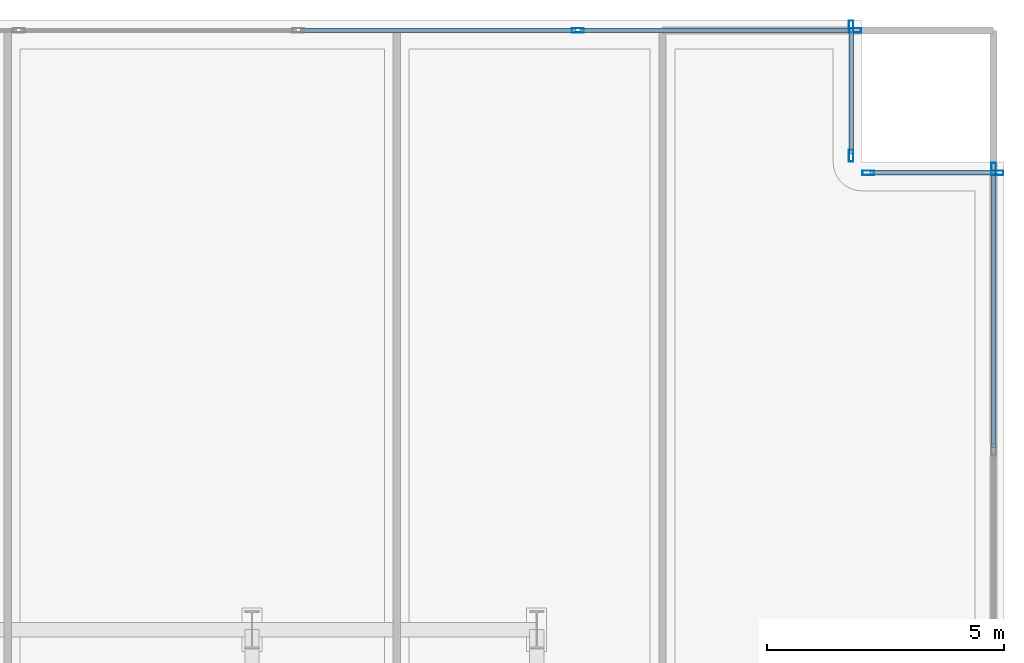
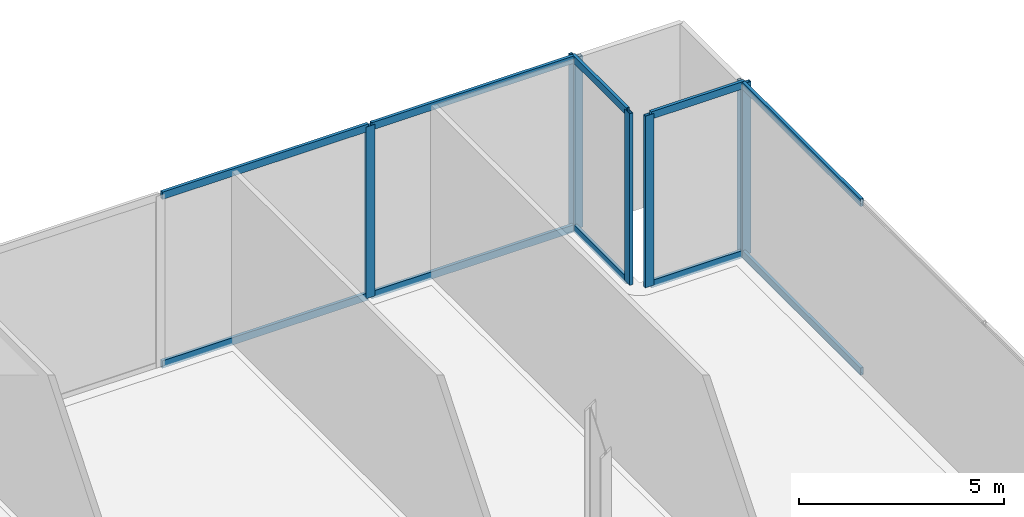
# One storey, part 19 of 28: 17 members, 4 elements without a shape of their own.
"""IFC4 building model written with IfcOpenShell, lengths in metres."""

from ifc_helpers import new_model, si_unit, direction, frame, origin, origin_2d, place, context, subcontext, project, spatial, hollow_rectangle, extrude, material, layer, layer_set, material_profile, profile_set, type_object, element, aggregate, save


model = new_model("IFC4")

# Units and contexts
model_context = context("Model", 3, precision=1e-05, world=origin(), true_north=direction((0.0, 1.0)))
body_context = subcontext(model_context, "Body", "Model", "MODEL_VIEW")
ifc_project = project(units=[si_unit("LENGTHUNIT", "METRE"), si_unit("AREAUNIT", "SQUARE_METRE"), si_unit("VOLUMEUNIT", "CUBIC_METRE"), si_unit("PLANEANGLEUNIT", "RADIAN"), si_unit("MASSUNIT", "GRAM", prefix="KILO"), si_unit("THERMODYNAMICTEMPERATUREUNIT", "KELVIN"), si_unit("POWERUNIT", "WATT")], contexts=[model_context])

# Site, building, storey
site_placement = place(None, origin())
site = spatial("IfcSite", under=ifc_project, at=site_placement, CompositionType="ELEMENT")
building_placement = place(site_placement, origin())
building = spatial("IfcBuilding", under=site, at=building_placement, Name="Svarakhadi Broadcast Tower", CompositionType="ELEMENT")
storey_placement = place(building_placement, frame((0.0, 0.0, 11.10009765625)))
storey = spatial("IfcBuildingStorey", under=building, at=storey_placement, Name="L02", CompositionType="ELEMENT", Elevation=11.10009765625)

# Curtain wall, members
ifc_material = material(Name="Anodised Bronze Aluminium AA 6063-T6", Category="aluminium")
ifc_layer = layer(ifc_material, 0.25)
ifc_layer_set = layer_set([ifc_layer], Name="Anodised Bronze Aluminium AA 6063-T6")
curtain_wall_type = type_object("IfcCurtainWallType", Name="CW_Sys_01", PredefinedType="NOTDEFINED", material=ifc_layer_set)
curtain_wall_1_placement = place(storey_placement, origin())
curtain_wall_1 = element("IfcCurtainWall", 1, at=curtain_wall_1_placement, inside=storey, type_object=curtain_wall_type, Name="L02 Unitised Facade Curtain Wall 05 Bay 2", PredefinedType="NOTDEFINED")
ifc_material_profile_1 = material_profile(ifc_material, hollow_rectangle(XDim=0.094970703125, YDim=0.25, WallThickness=0.006103515625, at=origin_2d()), Name="ALU MULLION 250x95x6")
ifc_profile_set_1 = profile_set([ifc_material_profile_1], Name="Anodised Bronze Aluminium AA 6063-T6")
member_type_1 = type_object("IfcMemberType", Name="CW_Sys_01_Mul", PredefinedType="MULLION", material=ifc_profile_set_1)
member_1_placement = place(storey_placement, frame((54.017578125, 47.780029296875, 0.0), z_axis=(0.0, 0.0, 1.0), x_axis=(0.0, 1.0, 0.0)))
member_1 = element("IfcMember", 2, at=member_1_placement, type_object=member_type_1, Name="CW-01 mullion 8", PredefinedType="MULLION", context=body_context, shape_type="SweptSolid", body=[
    extrude(hollow_rectangle(XDim=0.094970703125, YDim=0.25, WallThickness=0.006103515625, at=origin_2d()), origin(), (0.0, 0.0, 1.0), 5.099853515625),
])
member_2_placement = place(storey_placement, frame((59.862548828125, 47.780029296875, 0.0), z_axis=(0.0, 0.0, 1.0), x_axis=(0.0, 1.0, 0.0)))
member_2 = element("IfcMember", 3, at=member_2_placement, type_object=member_type_1, Name="CW-01 mullion 9", PredefinedType="MULLION", context=body_context, shape_type="SweptSolid", body=[
    extrude(hollow_rectangle(XDim=0.094970703125, YDim=0.25, WallThickness=0.006103515625, at=origin_2d()), origin(), (0.0, 0.0, 1.0), 5.099853515625),
])

curtain_wall_2_placement = place(storey_placement, origin())
curtain_wall_2 = element("IfcCurtainWall", 4, at=curtain_wall_2_placement, inside=storey, type_object=curtain_wall_type, Name="L02 Unitised Facade Curtain Wall 06", PredefinedType="NOTDEFINED")
member_3_placement = place(storey_placement, frame((59.780029296875, 47.862548828125, 0.0), z_axis=(0.0, 0.0, 1.0), x_axis=(1.0, 0.0, 0.0)))
member_3 = element("IfcMember", 5, at=member_3_placement, type_object=member_type_1, Name="CW-01 mullion 1", PredefinedType="MULLION", context=body_context, shape_type="SweptSolid", body=[
    extrude(hollow_rectangle(XDim=0.094970703125, YDim=0.25, WallThickness=0.006103515625, at=origin_2d()), origin(), (0.0, 0.0, 1.0), 5.099853515625),
])
member_4_placement = place(storey_placement, frame((59.780029296875, 45.137451171875, 0.0), z_axis=(0.0, 0.0, 1.0), x_axis=(1.0, 0.0, 0.0)))
member_4 = element("IfcMember", 6, at=member_4_placement, type_object=member_type_1, Name="CW-01 mullion 2", PredefinedType="MULLION", context=body_context, shape_type="SweptSolid", body=[
    extrude(hollow_rectangle(XDim=0.094970703125, YDim=0.25, WallThickness=0.006103515625, at=origin_2d()), origin(), (0.0, 0.0, 1.0), 5.099853515625),
])

curtain_wall_3_placement = place(storey_placement, origin())
curtain_wall_3 = element("IfcCurtainWall", 7, at=curtain_wall_3_placement, inside=storey, type_object=curtain_wall_type, Name="L02 Unitised Facade Curtain Wall 07", PredefinedType="NOTDEFINED")
member_5_placement = place(storey_placement, frame((60.137451171875, 44.780029296875, 0.0), z_axis=(0.0, 0.0, 1.0), x_axis=(0.0, 1.0, 0.0)))
member_5 = element("IfcMember", 8, at=member_5_placement, type_object=member_type_1, Name="CW-01 mullion 1", PredefinedType="MULLION", context=body_context, shape_type="SweptSolid", body=[
    extrude(hollow_rectangle(XDim=0.094970703125, YDim=0.25, WallThickness=0.006103515625, at=origin_2d()), origin(), (0.0, 0.0, 1.0), 5.099853515625),
])
member_6_placement = place(storey_placement, frame((62.862548828125, 44.780029296875, 0.0), z_axis=(0.0, 0.0, 1.0), x_axis=(0.0, 1.0, 0.0)))
member_6 = element("IfcMember", 9, at=member_6_placement, type_object=member_type_1, Name="CW-01 mullion 2", PredefinedType="MULLION", context=body_context, shape_type="SweptSolid", body=[
    extrude(hollow_rectangle(XDim=0.094970703125, YDim=0.25, WallThickness=0.006103515625, at=origin_2d()), origin(), (0.0, 0.0, 1.0), 5.099853515625),
])

# Curtain wall, member
curtain_wall_4_placement = place(storey_placement, origin())
curtain_wall_4 = element("IfcCurtainWall", 10, at=curtain_wall_4_placement, inside=storey, type_object=curtain_wall_type, Name="L02 Unitised Facade Curtain Wall 08", PredefinedType="NOTDEFINED")
member_7_placement = place(storey_placement, frame((62.780029296875, 44.862548828125, 0.0), z_axis=(0.0, 0.0, 1.0), x_axis=(1.0, 0.0, 0.0)))
member_7 = element("IfcMember", 11, at=member_7_placement, type_object=member_type_1, Name="CW-01 mullion 1", PredefinedType="MULLION", context=body_context, shape_type="SweptSolid", body=[
    extrude(hollow_rectangle(XDim=0.094970703125, YDim=0.25, WallThickness=0.006103515625, at=origin_2d()), origin(), (0.0, 0.0, 1.0), 5.099853515625),
])

# Member
ifc_material_profile_2 = material_profile(ifc_material, hollow_rectangle(XDim=0.0849609375, YDim=0.219970703125, WallThickness=0.0048828125, at=origin_2d()), Name="ALU TRANSOM 220x85x5")
ifc_profile_set_2 = profile_set([ifc_material_profile_2], Name="Anodised Bronze Aluminium AA 6063-T6")
member_type_2 = type_object("IfcMemberType", Name="CW_Sys_01_Trn", PredefinedType="USERDEFINED", material=ifc_profile_set_2)
member_8_placement = place(storey_placement, frame((48.172607421875, 47.780029296875, 0.04248046875), z_axis=(1.0, 0.0, 0.0), x_axis=(0.0, 1.0, 0.0)))
member_8 = element("IfcMember", 12, at=member_8_placement, type_object=member_type_2, Name="CW-01 transom 7.1", ObjectType="TRANSOM", PredefinedType="USERDEFINED", context=body_context, shape_type="SweptSolid", body=[
    extrude(hollow_rectangle(XDim=0.0849609375, YDim=0.219970703125, WallThickness=0.0048828125, at=origin_2d()), origin(), (0.0, 0.0, 1.0), 5.79736328125),
])

member_9_placement = place(storey_placement, frame((48.172607421875, 47.780029296875, 5.057373046875), z_axis=(1.0, 0.0, 0.0), x_axis=(0.0, 1.0, 0.0)))
member_9 = element("IfcMember", 13, at=member_9_placement, type_object=member_type_2, Name="CW-01 transom 7.2", ObjectType="TRANSOM", PredefinedType="USERDEFINED", context=body_context, shape_type="SweptSolid", body=[
    extrude(hollow_rectangle(XDim=0.0849609375, YDim=0.219970703125, WallThickness=0.0048828125, at=origin_2d()), origin(), (0.0, 0.0, 1.0), 5.79736328125),
])

member_10_placement = place(storey_placement, frame((54.06494140625, 47.780029296875, 0.04248046875), z_axis=(1.0, 0.0, 0.0), x_axis=(0.0, 1.0, 0.0)))
member_10 = element("IfcMember", 14, at=member_10_placement, type_object=member_type_2, Name="CW-01 transom 8.1", ObjectType="TRANSOM", PredefinedType="USERDEFINED", context=body_context, shape_type="SweptSolid", body=[
    extrude(hollow_rectangle(XDim=0.0849609375, YDim=0.219970703125, WallThickness=0.0048828125, at=origin_2d()), origin(), (0.0, 0.0, 1.0), 5.75),
])

member_11_placement = place(storey_placement, frame((54.06494140625, 47.780029296875, 5.057373046875), z_axis=(1.0, 0.0, 0.0), x_axis=(0.0, 1.0, 0.0)))
member_11 = element("IfcMember", 15, at=member_11_placement, type_object=member_type_2, Name="CW-01 transom 8.2", ObjectType="TRANSOM", PredefinedType="USERDEFINED", context=body_context, shape_type="SweptSolid", body=[
    extrude(hollow_rectangle(XDim=0.0849609375, YDim=0.219970703125, WallThickness=0.0048828125, at=origin_2d()), origin(), (0.0, 0.0, 1.0), 5.75),
])

aggregate(curtain_wall_1, [member_1, member_2, member_8, member_9, member_10, member_11])

member_12_placement = place(storey_placement, frame((59.780029296875, 47.81494140625, 0.04248046875), z_axis=(0.0, -1.0, 0.0), x_axis=(1.0, 0.0, 0.0)))
member_12 = element("IfcMember", 16, at=member_12_placement, type_object=member_type_2, Name="CW-01 transom 1.1", ObjectType="TRANSOM", PredefinedType="USERDEFINED", context=body_context, shape_type="SweptSolid", body=[
    extrude(hollow_rectangle(XDim=0.0849609375, YDim=0.219970703125, WallThickness=0.0048828125, at=origin_2d()), origin(), (0.0, 0.0, 1.0), 2.6298828125),
])

member_13_placement = place(storey_placement, frame((59.780029296875, 47.81494140625, 5.057373046875), z_axis=(0.0, -1.0, 0.0), x_axis=(1.0, 0.0, 0.0)))
member_13 = element("IfcMember", 17, at=member_13_placement, type_object=member_type_2, Name="CW-01 transom 1.2", ObjectType="TRANSOM", PredefinedType="USERDEFINED", context=body_context, shape_type="SweptSolid", body=[
    extrude(hollow_rectangle(XDim=0.0849609375, YDim=0.219970703125, WallThickness=0.0048828125, at=origin_2d()), origin(), (0.0, 0.0, 1.0), 2.6298828125),
])

aggregate(curtain_wall_2, [member_3, member_4, member_12, member_13])

member_14_placement = place(storey_placement, frame((60.18505859375, 44.780029296875, 0.04248046875), z_axis=(1.0, 0.0, 0.0), x_axis=(0.0, 1.0, 0.0)))
member_14 = element("IfcMember", 18, at=member_14_placement, type_object=member_type_2, Name="CW-01 transom 1.1", ObjectType="TRANSOM", PredefinedType="USERDEFINED", context=body_context, shape_type="SweptSolid", body=[
    extrude(hollow_rectangle(XDim=0.0849609375, YDim=0.219970703125, WallThickness=0.0048828125, at=origin_2d()), origin(), (0.0, 0.0, 1.0), 2.6298828125),
])

member_15_placement = place(storey_placement, frame((60.18505859375, 44.780029296875, 5.057373046875), z_axis=(1.0, 0.0, 0.0), x_axis=(0.0, 1.0, 0.0)))
member_15 = element("IfcMember", 19, at=member_15_placement, type_object=member_type_2, Name="CW-01 transom 1.2", ObjectType="TRANSOM", PredefinedType="USERDEFINED", context=body_context, shape_type="SweptSolid", body=[
    extrude(hollow_rectangle(XDim=0.0849609375, YDim=0.219970703125, WallThickness=0.0048828125, at=origin_2d()), origin(), (0.0, 0.0, 1.0), 2.6298828125),
])

aggregate(curtain_wall_3, [member_5, member_6, member_14, member_15])

member_16_placement = place(storey_placement, frame((62.780029296875, 44.81494140625, 0.04248046875), z_axis=(0.0, -1.0, 0.0), x_axis=(1.0, 0.0, 0.0)))
member_16 = element("IfcMember", 20, at=member_16_placement, type_object=member_type_2, Name="CW-01 transom 1.1", ObjectType="TRANSOM", PredefinedType="USERDEFINED", context=body_context, shape_type="SweptSolid", body=[
    extrude(hollow_rectangle(XDim=0.0849609375, YDim=0.219970703125, WallThickness=0.0048828125, at=origin_2d()), origin(), (0.0, 0.0, 1.0), 5.831787109375),
])

member_17_placement = place(storey_placement, frame((62.780029296875, 44.81494140625, 5.057373046875), z_axis=(0.0, -1.0, 0.0), x_axis=(1.0, 0.0, 0.0)))
member_17 = element("IfcMember", 21, at=member_17_placement, type_object=member_type_2, Name="CW-01 transom 1.2", ObjectType="TRANSOM", PredefinedType="USERDEFINED", context=body_context, shape_type="SweptSolid", body=[
    extrude(hollow_rectangle(XDim=0.0849609375, YDim=0.219970703125, WallThickness=0.0048828125, at=origin_2d()), origin(), (0.0, 0.0, 1.0), 5.831787109375),
])

aggregate(curtain_wall_4, [member_7, member_16, member_17])

save(model, "model.ifc")
